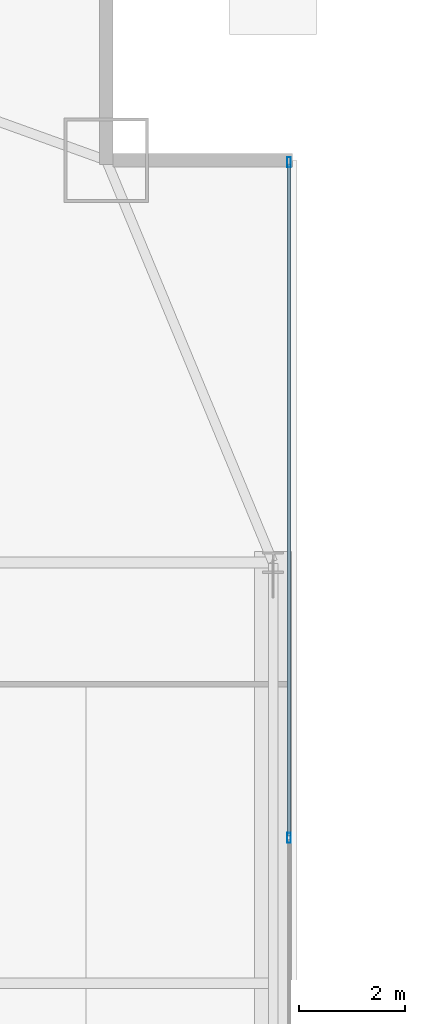
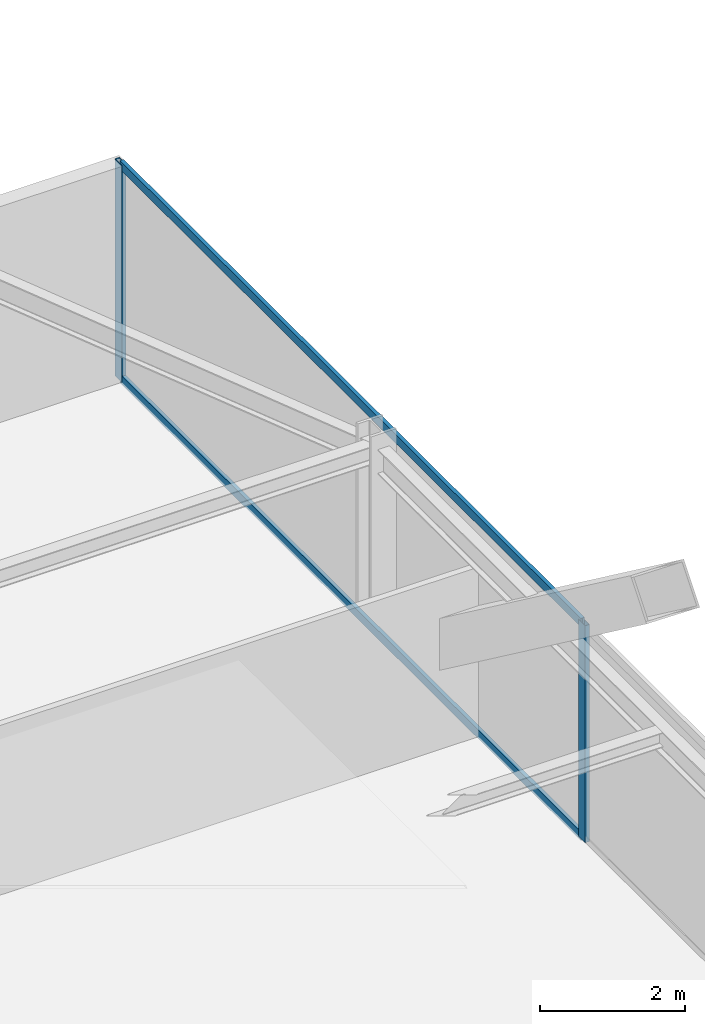
# One storey, part 25 of 34: 4 members, 1 element without a shape of its own.
"""IFC4 building model written with IfcOpenShell, lengths in metres."""

from ifc_helpers import new_model, si_unit, direction, frame, origin, origin_2d, place, context, subcontext, project, spatial, hollow_rectangle, extrude, source, transform, mapped, material, layer, layer_set, material_profile, profile_set, type_object, type_shapes, element, aggregate, save


model = new_model("IFC4")

# Units and contexts
model_context = context("Model", 3, precision=1e-05, world=origin(), true_north=direction((0.0, 1.0)))
body_context = subcontext(model_context, "Body", "Model", "MODEL_VIEW")
ifc_project = project(units=[si_unit("LENGTHUNIT", "METRE"), si_unit("AREAUNIT", "SQUARE_METRE"), si_unit("VOLUMEUNIT", "CUBIC_METRE"), si_unit("PLANEANGLEUNIT", "RADIAN"), si_unit("MASSUNIT", "GRAM", prefix="KILO")], contexts=[model_context])

# Site, building, storey
site_placement = place(None, origin())
site = spatial("IfcSite", under=ifc_project, at=site_placement, CompositionType="ELEMENT")
building_placement = place(site_placement, origin())
building = spatial("IfcBuilding", under=site, at=building_placement, Name="Varnel Quay Broadcast Tower", CompositionType="ELEMENT")
storey_placement = place(building_placement, frame((0.0, 0.0, 27.60009765625)))
storey = spatial("IfcBuildingStorey", under=building, at=storey_placement, Name="L05", CompositionType="ELEMENT", Elevation=27.60009765625)

# Curtain wall, members
ifc_material = material(Name="Anodised Bronze Aluminium 6063-T6", Category="aluminium")
ifc_layer = layer(ifc_material, 0.18994140625, Name="Anodised Bronze Aluminium 6063-T6")
ifc_layer_set = layer_set([ifc_layer], Name="Anodised Bronze Aluminium 6063-T6")
curtain_wall_type = type_object("IfcCurtainWallType", Name="CW_LowerTower", PredefinedType="NOTDEFINED", material=ifc_layer_set)
curtain_wall_placement = place(storey_placement, origin())
curtain_wall = element("IfcCurtainWall", 1, at=curtain_wall_placement, inside=storey, type_object=curtain_wall_type, Name="L05 East Unitised Curtain Wall", PredefinedType="NOTDEFINED")
ifc_material_profile_1 = material_profile(ifc_material, hollow_rectangle(XDim=0.070068359375, YDim=0.18994140625, WallThickness=0.00390625, at=origin_2d()), Name="ALU70X190X4")
ifc_profile_set_1 = profile_set([ifc_material_profile_1], Name="Anodised Bronze Aluminium 6063-T6")
member_type_1 = type_object("IfcMemberType", Name="Mull_CWS-02", PredefinedType="MULLION", material=ifc_profile_set_1)
shared_shape_1 = source(origin(), body_context, "Body", "SweptSolid", [
    extrude(hollow_rectangle(XDim=0.070068359375, YDim=0.18994140625, WallThickness=0.00390625, at=origin_2d()), origin(), (0.0, 0.0, 1.0), 3.64990234375),
])
type_shapes(member_type_1, [shared_shape_1])
member_1_placement = place(storey_placement, frame((65.85009765625, 30.39990234375, 0.0), z_axis=(0.0, 0.0, 1.0), x_axis=(-1.0, 0.0, 0.0)))
member_1 = element("IfcMember", 2, at=member_1_placement, type_object=member_type_1, Name="CWS-02 mullion 3", PredefinedType="MULLION", context=body_context, shape_type="MappedRepresentation", body=[
    mapped(shared_shape_1, transform((0.0, 0.0, 0.0), x_axis=(1.0, 0.0, 0.0), y_axis=(0.0, 1.0, 0.0), z_axis=(0.0, 0.0, 1.0), scale=1.0)),
])
member_2_placement = place(storey_placement, frame((65.85009765625, 43.1650390625, 0.0), z_axis=(0.0, 0.0, 1.0), x_axis=(-1.0, 0.0, 0.0)))
member_2 = element("IfcMember", 3, at=member_2_placement, type_object=member_type_1, Name="CWS-02 mullion 4", PredefinedType="MULLION", context=body_context, shape_type="MappedRepresentation", body=[
    mapped(shared_shape_1, transform((0.0, 0.0, 0.0), x_axis=(1.0, 0.0, 0.0), y_axis=(0.0, 1.0, 0.0), z_axis=(0.0, 0.0, 1.0), scale=1.0)),
])
ifc_material_profile_2 = material_profile(ifc_material, hollow_rectangle(XDim=0.06005859375, YDim=0.14501953125, WallThickness=0.00341796875, at=origin_2d()), Name="ALU60X145X3.5")
ifc_profile_set_2 = profile_set([ifc_material_profile_2], Name="Anodised Bronze Aluminium 6063-T6")
member_type_2 = type_object("IfcMemberType", Name="Tran_CWS-02", PredefinedType="USERDEFINED", material=ifc_profile_set_2)
shared_shape_2 = source(origin(), body_context, "Body", "SweptSolid", [
    extrude(hollow_rectangle(XDim=0.06005859375, YDim=0.14501953125, WallThickness=0.00341796875, at=origin_2d()), origin(), (0.0, 0.0, 1.0), 12.69482421875),
])
type_shapes(member_type_2, [shared_shape_2])
member_3_placement = place(storey_placement, frame((65.85009765625, 30.43505859375, 0.02978515625), z_axis=(0.0, 1.0, 0.0), x_axis=(-1.0, 0.0, 0.0)))
member_3 = element("IfcMember", 4, at=member_3_placement, type_object=member_type_2, Name="CWS-02 transom 3.1", ObjectType="TRANSOM", PredefinedType="USERDEFINED", context=body_context, shape_type="MappedRepresentation", body=[
    mapped(shared_shape_2, transform((0.0, 0.0, 0.0), x_axis=(1.0, 0.0, 0.0), y_axis=(0.0, 1.0, 0.0), z_axis=(0.0, 0.0, 1.0), scale=1.0)),
])
member_4_placement = place(storey_placement, frame((65.85009765625, 30.43505859375, 3.619873046875), z_axis=(0.0, 1.0, 0.0), x_axis=(-1.0, 0.0, 0.0)))
member_4 = element("IfcMember", 5, at=member_4_placement, type_object=member_type_2, Name="CWS-02 transom 3.2", ObjectType="TRANSOM", PredefinedType="USERDEFINED", context=body_context, shape_type="MappedRepresentation", body=[
    mapped(shared_shape_2, transform((0.0, 0.0, 0.0), x_axis=(1.0, 0.0, 0.0), y_axis=(0.0, 1.0, 0.0), z_axis=(0.0, 0.0, 1.0), scale=1.0)),
])
aggregate(curtain_wall, [member_1, member_2, member_3, member_4])

save(model, "model.ifc")
